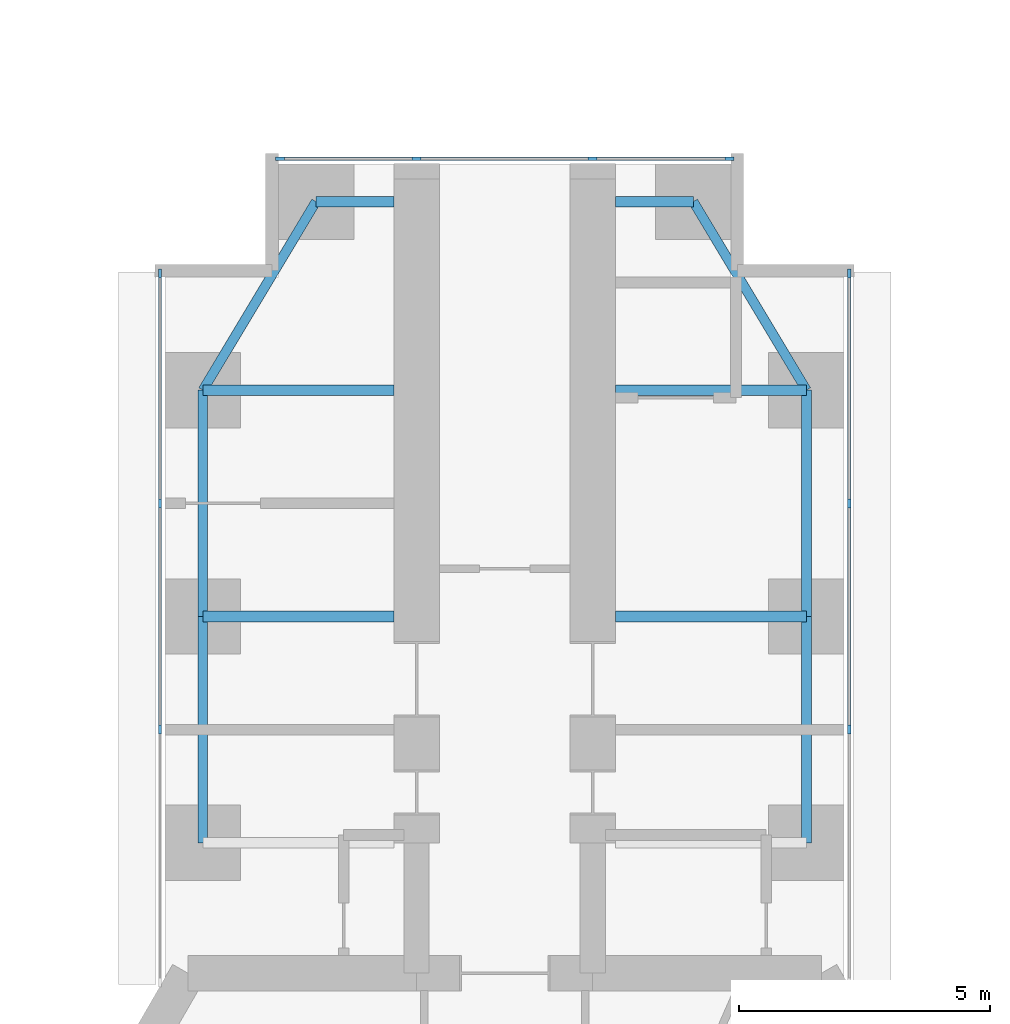
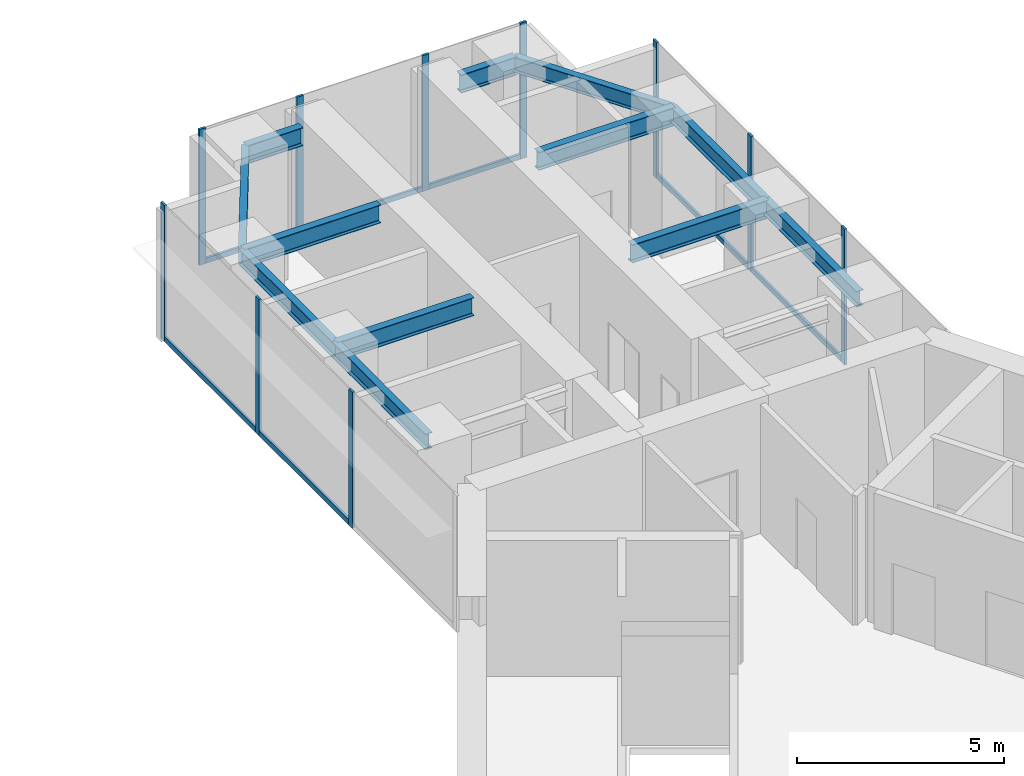
# One storey, part 13 of 23: 17 members, 12 beams, 3 elements without a shape of their own.
"""IFC4 building model written with IfcOpenShell, lengths in metres."""

from ifc_helpers import new_model, si_unit, direction, frame, origin, origin_2d, place, context, subcontext, project, spatial, rectangle, i_section, extrude, material, material_profile, profile_set, type_object, element, aggregate, save


model = new_model("IFC4")

# Units and contexts
model_context = context("Model", 3, precision=1e-05, world=origin(), true_north=direction((0.0, 1.0)))
body_context = subcontext(model_context, "Body", "Model", "MODEL_VIEW")
ifc_project = project(units=[si_unit("LENGTHUNIT", "METRE"), si_unit("AREAUNIT", "SQUARE_METRE"), si_unit("VOLUMEUNIT", "CUBIC_METRE"), si_unit("PLANEANGLEUNIT", "RADIAN"), si_unit("MASSUNIT", "GRAM", prefix="KILO")], contexts=[model_context])

# Site, building, storey
site_placement = place(None, origin())
site = spatial("IfcSite", under=ifc_project, at=site_placement, CompositionType="ELEMENT")
building_placement = place(site_placement, origin())
building = spatial("IfcBuilding", under=site, at=building_placement, Name="Upepo Twin Towers", CompositionType="ELEMENT")
storey_placement = place(building_placement, frame((0.0, 0.0, 32.5)))
storey = spatial("IfcBuildingStorey", under=building, at=storey_placement, Name="L07", CompositionType="ELEMENT", Elevation=32.5)

# Beams
ifc_material_1 = material(Name="Steel S355", Category="steel")
ifc_material_profile_1 = material_profile(ifc_material_1, i_section(OverallWidth=0.1904296875, OverallDepth=0.45703125, WebThickness=0.009033203125, FlangeThickness=0.014404296875, FilletRadius=0.01025390625, at=origin_2d()), Name="UB 457x191x74")
ifc_profile_set_1 = profile_set([ifc_material_profile_1], Name="Steel S355")
beam_type_1 = type_object("IfcBeamType", Name="Beam UB 457x191x74", PredefinedType="BEAM", material=ifc_profile_set_1)
for number, where, z_axis, x_axis, name in (
    (1, (52.5, -4.5, 3.571533203125), (0.0, 1.0, 0.0), (-1.0, 0.0, 0.0), "T2 edge beam AL 13.5-18.0"),
    (2, (52.5, 0.0, 3.571533203125), (0.0, 1.0, 0.0), (-1.0, 0.0, 0.0), "T2 edge beam AL 18.0-22.5"),
):
    element("IfcBeam", number, at=place(storey_placement, frame(where, z_axis=z_axis, x_axis=x_axis)), inside=storey, type_object=beam_type_1, Name=name, PredefinedType="BEAM", context=body_context, shape_type="SweptSolid", body=[
        extrude(i_section(OverallWidth=0.1904296875, OverallDepth=0.45703125, WebThickness=0.009033203125, FlangeThickness=0.014404296875, FilletRadius=0.01025390625, at=origin_2d()), origin(), (0.0, 0.0, 1.0), 4.5),
    ])
beam_1_placement = place(storey_placement, frame((52.5, 4.5, 3.571533203125), z_axis=(0.514495755428, 0.857492925713, 0.0), x_axis=(-0.857492925713, 0.514495755428, 0.0)))
element("IfcBeam", 3, at=beam_1_placement, inside=storey, type_object=beam_type_1, Name="T2 nose edge beam AL", PredefinedType="BEAM", context=body_context, shape_type="SweptSolid", body=[
    extrude(i_section(OverallWidth=0.1904296875, OverallDepth=0.45703125, WebThickness=0.009033203125, FlangeThickness=0.014404296875, FilletRadius=0.01025390625, at=origin_2d()), origin(), (0.0, 0.0, 1.0), 4.373291015625),
])
for number, where, z_axis, x_axis, name in (
    (4, (64.5, -4.5, 3.571533203125), (0.0, 1.0, 0.0), (-1.0, 0.0, 0.0), "T2 edge beam AR 13.5-18.0"),
    (5, (64.5, 0.0, 3.571533203125), (0.0, 1.0, 0.0), (-1.0, 0.0, 0.0), "T2 edge beam AR 18.0-22.5"),
):
    element("IfcBeam", number, at=place(storey_placement, frame(where, z_axis=z_axis, x_axis=x_axis)), inside=storey, type_object=beam_type_1, Name=name, PredefinedType="BEAM", context=body_context, shape_type="SweptSolid", body=[
        extrude(i_section(OverallWidth=0.1904296875, OverallDepth=0.45703125, WebThickness=0.009033203125, FlangeThickness=0.014404296875, FilletRadius=0.01025390625, at=origin_2d()), origin(), (0.0, 0.0, 1.0), 4.5),
    ])
beam_2_placement = place(storey_placement, frame((64.5, 4.5, 3.571533203125), z_axis=(-0.514495755428, 0.857492925713, 0.0), x_axis=(-0.857492925713, -0.514495755428, 0.0)))
element("IfcBeam", 6, at=beam_2_placement, inside=storey, type_object=beam_type_1, Name="T2 nose edge beam AR", PredefinedType="BEAM", context=body_context, shape_type="SweptSolid", body=[
    extrude(i_section(OverallWidth=0.1904296875, OverallDepth=0.45703125, WebThickness=0.009033203125, FlangeThickness=0.014404296875, FilletRadius=0.01025390625, at=origin_2d()), origin(), (0.0, 0.0, 1.0), 4.373291015625),
])
ifc_material_2 = material(Name="Steel S355", Category="steel")
ifc_material_profile_2 = material_profile(ifc_material_2, i_section(OverallWidth=0.2099609375, OverallDepth=0.53662109375, WebThickness=0.0107421875, FlangeThickness=0.017333984375, FilletRadius=0.0126953125, at=origin_2d()), Name="UB 533x210x101")
ifc_profile_set_2 = profile_set([ifc_material_profile_2], Name="Steel S355")
beam_type_2 = type_object("IfcBeamType", Name="Beam UB 533x210x101", PredefinedType="BEAM", material=ifc_profile_set_2)
for number, where, z_axis, x_axis, name in (
    (7, (54.75, 8.25, 3.53173828125), (1.0, 0.0, 0.0), (0.0, 1.0, 0.0), "T2 nose beam AL"),
    (8, (62.25, 8.25, 3.53173828125), (-1.0, 0.0, 0.0), (0.0, -1.0, 0.0), "T2 nose beam AR"),
):
    element("IfcBeam", number, at=place(storey_placement, frame(where, z_axis=z_axis, x_axis=x_axis)), inside=storey, type_object=beam_type_2, Name=name, PredefinedType="BEAM", context=body_context, shape_type="SweptSolid", body=[
        extrude(i_section(OverallWidth=0.2099609375, OverallDepth=0.53662109375, WebThickness=0.0107421875, FlangeThickness=0.017333984375, FilletRadius=0.0126953125, at=origin_2d()), origin(), (0.0, 0.0, 1.0), 1.550048828125),
    ])
ifc_material_3 = material(Name="Steel S355", Category="steel")
ifc_material_profile_3 = material_profile(ifc_material_3, i_section(OverallWidth=0.209228515625, OverallDepth=0.533203125, WebThickness=0.010009765625, FlangeThickness=0.015625, FilletRadius=0.0126953125, at=origin_2d()), Name="UB 533x210x92")
ifc_profile_set_3 = profile_set([ifc_material_profile_3], Name="Steel S355")
beam_type_3 = type_object("IfcBeamType", Name="Beam UB 533x210x92", PredefinedType="BEAM", material=ifc_profile_set_3)
for number, where, z_axis, x_axis, name in (
    (9, (52.5, 0.0, 3.533447265625), (1.0, 0.0, 0.0), (0.0, 1.0, 0.0), "T2 girder AL at 18.0"),
    (10, (52.5, 4.5, 3.533447265625), (1.0, 0.0, 0.0), (0.0, 1.0, 0.0), "T2 girder AL at 22.5"),
    (11, (64.5, 0.0, 3.533447265625), (-1.0, 0.0, 0.0), (0.0, -1.0, 0.0), "T2 girder AR at 18.0"),
    (12, (64.5, 4.5, 3.533447265625), (-1.0, 0.0, 0.0), (0.0, -1.0, 0.0), "T2 girder AR at 22.5"),
):
    element("IfcBeam", number, at=place(storey_placement, frame(where, z_axis=z_axis, x_axis=x_axis)), inside=storey, type_object=beam_type_3, Name=name, PredefinedType="BEAM", context=body_context, shape_type="SweptSolid", body=[
        extrude(i_section(OverallWidth=0.209228515625, OverallDepth=0.533203125, WebThickness=0.010009765625, FlangeThickness=0.015625, FilletRadius=0.0126953125, at=origin_2d()), origin(), (0.0, 0.0, 1.0), 3.800048828125),
    ])

# Curtain wall, members
ifc_material_4 = material(Name="Aluminium and fritted glass", Category="aluminium")
curtain_wall_type = type_object("IfcCurtainWallType", Name="Tower curtain wall TW1, fritted glass", PredefinedType="NOTDEFINED", material=ifc_material_4)
curtain_wall_1_placement = place(storey_placement, origin())
curtain_wall_1 = element("IfcCurtainWall", 13, at=curtain_wall_1_placement, inside=storey, type_object=curtain_wall_type, Name="T2 L07 wing A flank L curtain wall", PredefinedType="NOTDEFINED")
ifc_material_5 = material(Name="Aluminium mullion", Category="aluminium")
ifc_material_profile_4 = material_profile(ifc_material_5, rectangle(XDim=0.06494140625, YDim=0.179931640625, at=origin_2d()), Name="MULLION 65x180")
ifc_profile_set_4 = profile_set([ifc_material_profile_4], Name="Aluminium mullion")
member_type_1 = type_object("IfcMemberType", Name="Mullion 65x180 TW1", PredefinedType="MULLION", material=ifc_profile_set_4)
member_1_placement = place(storey_placement, frame((51.64990234375, -2.25, 0.0), z_axis=(0.0, 0.0, 1.0), x_axis=(-1.0, 0.0, 0.0)))
member_1 = element("IfcMember", 14, at=member_1_placement, type_object=member_type_1, Name="T2 L07 wing A flank L curtain wall mullion 2", PredefinedType="MULLION", context=body_context, shape_type="SweptSolid", body=[
    extrude(rectangle(XDim=0.06494140625, YDim=0.179931640625, at=origin_2d()), origin(), (0.0, 0.0, 1.0), 4.0),
])
member_2_placement = place(storey_placement, frame((51.64990234375, 2.25, 0.0), z_axis=(0.0, 0.0, 1.0), x_axis=(-1.0, 0.0, 0.0)))
member_2 = element("IfcMember", 15, at=member_2_placement, type_object=member_type_1, Name="T2 L07 wing A flank L curtain wall mullion 3", PredefinedType="MULLION", context=body_context, shape_type="SweptSolid", body=[
    extrude(rectangle(XDim=0.06494140625, YDim=0.179931640625, at=origin_2d()), origin(), (0.0, 0.0, 1.0), 4.0),
])
member_3_placement = place(storey_placement, frame((51.64990234375, 6.8173828125, 0.0), z_axis=(0.0, 0.0, 1.0), x_axis=(-1.0, 0.0, 0.0)))
member_3 = element("IfcMember", 16, at=member_3_placement, type_object=member_type_1, Name="T2 L07 wing A flank L curtain wall mullion 4", PredefinedType="MULLION", context=body_context, shape_type="SweptSolid", body=[
    extrude(rectangle(XDim=0.06494140625, YDim=0.179931640625, at=origin_2d()), origin(), (0.0, 0.0, 1.0), 4.0),
])

curtain_wall_2_placement = place(storey_placement, origin())
curtain_wall_2 = element("IfcCurtainWall", 17, at=curtain_wall_2_placement, inside=storey, type_object=curtain_wall_type, Name="T2 L07 wing A flank R curtain wall", PredefinedType="NOTDEFINED")
member_4_placement = place(storey_placement, frame((65.35009765625, 6.8173828125, 0.0), z_axis=(0.0, 0.0, 1.0), x_axis=(1.0, 0.0, 0.0)))
member_4 = element("IfcMember", 18, at=member_4_placement, type_object=member_type_1, Name="T2 L07 wing A flank R curtain wall mullion 1", PredefinedType="MULLION", context=body_context, shape_type="SweptSolid", body=[
    extrude(rectangle(XDim=0.06494140625, YDim=0.179931640625, at=origin_2d()), origin(), (0.0, 0.0, 1.0), 4.0),
])
member_5_placement = place(storey_placement, frame((65.35009765625, 2.25, 0.0), z_axis=(0.0, 0.0, 1.0), x_axis=(1.0, 0.0, 0.0)))
member_5 = element("IfcMember", 19, at=member_5_placement, type_object=member_type_1, Name="T2 L07 wing A flank R curtain wall mullion 2", PredefinedType="MULLION", context=body_context, shape_type="SweptSolid", body=[
    extrude(rectangle(XDim=0.06494140625, YDim=0.179931640625, at=origin_2d()), origin(), (0.0, 0.0, 1.0), 4.0),
])
member_6_placement = place(storey_placement, frame((65.35009765625, -2.25, 0.0), z_axis=(0.0, 0.0, 1.0), x_axis=(1.0, 0.0, 0.0)))
member_6 = element("IfcMember", 20, at=member_6_placement, type_object=member_type_1, Name="T2 L07 wing A flank R curtain wall mullion 3", PredefinedType="MULLION", context=body_context, shape_type="SweptSolid", body=[
    extrude(rectangle(XDim=0.06494140625, YDim=0.179931640625, at=origin_2d()), origin(), (0.0, 0.0, 1.0), 4.0),
])

curtain_wall_3_placement = place(storey_placement, origin())
curtain_wall_3 = element("IfcCurtainWall", 21, at=curtain_wall_3_placement, inside=storey, type_object=curtain_wall_type, Name="T2 L07 wing A nose curtain wall", PredefinedType="NOTDEFINED")
member_7_placement = place(storey_placement, frame((62.967529296875, 9.10009765625, 0.0), z_axis=(0.0, 0.0, 1.0), x_axis=(0.0, -1.0, 0.0)))
member_7 = element("IfcMember", 22, at=member_7_placement, type_object=member_type_1, Name="T2 L07 wing A nose curtain wall mullion 1", PredefinedType="MULLION", context=body_context, shape_type="SweptSolid", body=[
    extrude(rectangle(XDim=0.06494140625, YDim=0.179931640625, at=origin_2d()), origin(), (0.0, 0.0, 1.0), 4.0),
])
member_8_placement = place(storey_placement, frame((60.25, 9.10009765625, 0.0), z_axis=(0.0, 0.0, 1.0), x_axis=(0.0, -1.0, 0.0)))
member_8 = element("IfcMember", 23, at=member_8_placement, type_object=member_type_1, Name="T2 L07 wing A nose curtain wall mullion 2", PredefinedType="MULLION", context=body_context, shape_type="SweptSolid", body=[
    extrude(rectangle(XDim=0.06494140625, YDim=0.179931640625, at=origin_2d()), origin(), (0.0, 0.0, 1.0), 4.0),
])
member_9_placement = place(storey_placement, frame((56.75, 9.10009765625, 0.0), z_axis=(0.0, 0.0, 1.0), x_axis=(0.0, -1.0, 0.0)))
member_9 = element("IfcMember", 24, at=member_9_placement, type_object=member_type_1, Name="T2 L07 wing A nose curtain wall mullion 3", PredefinedType="MULLION", context=body_context, shape_type="SweptSolid", body=[
    extrude(rectangle(XDim=0.06494140625, YDim=0.179931640625, at=origin_2d()), origin(), (0.0, 0.0, 1.0), 4.0),
])
member_10_placement = place(storey_placement, frame((54.032470703125, 9.10009765625, 0.0), z_axis=(0.0, 0.0, 1.0), x_axis=(0.0, -1.0, 0.0)))
member_10 = element("IfcMember", 25, at=member_10_placement, type_object=member_type_1, Name="T2 L07 wing A nose curtain wall mullion 4", PredefinedType="MULLION", context=body_context, shape_type="SweptSolid", body=[
    extrude(rectangle(XDim=0.06494140625, YDim=0.179931640625, at=origin_2d()), origin(), (0.0, 0.0, 1.0), 4.0),
])

# Member
ifc_material_6 = material(Name="Aluminium transom", Category="aluminium")
ifc_material_profile_5 = material_profile(ifc_material_6, rectangle(XDim=0.06494140625, YDim=0.14990234375, at=origin_2d()), Name="TRANSOM 65x150")
ifc_profile_set_5 = profile_set([ifc_material_profile_5], Name="Aluminium transom")
member_type_2 = type_object("IfcMemberType", Name="Transom 65x150 TW1", PredefinedType="USERDEFINED", material=ifc_profile_set_5)
member_11_placement = place(storey_placement, frame((51.64990234375, -2.217529296875, 0.074951171875), z_axis=(0.0, 1.0, 0.0), x_axis=(-1.0, 0.0, 0.0)))
member_11 = element("IfcMember", 26, at=member_11_placement, type_object=member_type_2, Name="T2 L07 wing A flank L curtain wall transom 2", ObjectType="TRANSOM", PredefinedType="USERDEFINED", context=body_context, shape_type="SweptSolid", body=[
    extrude(rectangle(XDim=0.06494140625, YDim=0.14990234375, at=origin_2d()), origin(), (0.0, 0.0, 1.0), 4.43505859375),
])

member_12_placement = place(storey_placement, frame((51.64990234375, 2.282470703125, 0.074951171875), z_axis=(0.0, 1.0, 0.0), x_axis=(-1.0, 0.0, 0.0)))
member_12 = element("IfcMember", 27, at=member_12_placement, type_object=member_type_2, Name="T2 L07 wing A flank L curtain wall transom 3", ObjectType="TRANSOM", PredefinedType="USERDEFINED", context=body_context, shape_type="SweptSolid", body=[
    extrude(rectangle(XDim=0.06494140625, YDim=0.14990234375, at=origin_2d()), origin(), (0.0, 0.0, 1.0), 4.50244140625),
])

aggregate(curtain_wall_1, [member_1, member_2, member_3, member_11, member_12])

member_13_placement = place(storey_placement, frame((65.35009765625, 6.784912109375, 0.074951171875), z_axis=(0.0, -1.0, 0.0), x_axis=(1.0, 0.0, 0.0)))
member_13 = element("IfcMember", 28, at=member_13_placement, type_object=member_type_2, Name="T2 L07 wing A flank R curtain wall transom 1", ObjectType="TRANSOM", PredefinedType="USERDEFINED", context=body_context, shape_type="SweptSolid", body=[
    extrude(rectangle(XDim=0.06494140625, YDim=0.14990234375, at=origin_2d()), origin(), (0.0, 0.0, 1.0), 4.50244140625),
])

member_14_placement = place(storey_placement, frame((65.35009765625, 2.217529296875, 0.074951171875), z_axis=(0.0, -1.0, 0.0), x_axis=(1.0, 0.0, 0.0)))
member_14 = element("IfcMember", 29, at=member_14_placement, type_object=member_type_2, Name="T2 L07 wing A flank R curtain wall transom 2", ObjectType="TRANSOM", PredefinedType="USERDEFINED", context=body_context, shape_type="SweptSolid", body=[
    extrude(rectangle(XDim=0.06494140625, YDim=0.14990234375, at=origin_2d()), origin(), (0.0, 0.0, 1.0), 4.43505859375),
])

aggregate(curtain_wall_2, [member_4, member_5, member_6, member_13, member_14])

member_15_placement = place(storey_placement, frame((62.93505859375, 9.10009765625, 0.074951171875), z_axis=(-1.0, 0.0, 0.0), x_axis=(0.0, -1.0, 0.0)))
member_15 = element("IfcMember", 30, at=member_15_placement, type_object=member_type_2, Name="T2 L07 wing A nose curtain wall transom 1", ObjectType="TRANSOM", PredefinedType="USERDEFINED", context=body_context, shape_type="SweptSolid", body=[
    extrude(rectangle(XDim=0.06494140625, YDim=0.14990234375, at=origin_2d()), origin(), (0.0, 0.0, 1.0), 2.652587890625),
])

member_16_placement = place(storey_placement, frame((60.217529296875, 9.10009765625, 0.074951171875), z_axis=(-1.0, 0.0, 0.0), x_axis=(0.0, -1.0, 0.0)))
member_16 = element("IfcMember", 31, at=member_16_placement, type_object=member_type_2, Name="T2 L07 wing A nose curtain wall transom 2", ObjectType="TRANSOM", PredefinedType="USERDEFINED", context=body_context, shape_type="SweptSolid", body=[
    extrude(rectangle(XDim=0.06494140625, YDim=0.14990234375, at=origin_2d()), origin(), (0.0, 0.0, 1.0), 3.43505859375),
])

member_17_placement = place(storey_placement, frame((56.717529296875, 9.10009765625, 0.074951171875), z_axis=(-1.0, 0.0, 0.0), x_axis=(0.0, -1.0, 0.0)))
member_17 = element("IfcMember", 32, at=member_17_placement, type_object=member_type_2, Name="T2 L07 wing A nose curtain wall transom 3", ObjectType="TRANSOM", PredefinedType="USERDEFINED", context=body_context, shape_type="SweptSolid", body=[
    extrude(rectangle(XDim=0.06494140625, YDim=0.14990234375, at=origin_2d()), origin(), (0.0, 0.0, 1.0), 2.652587890625),
])

aggregate(curtain_wall_3, [member_7, member_8, member_9, member_10, member_15, member_16, member_17])

save(model, "model.ifc")
